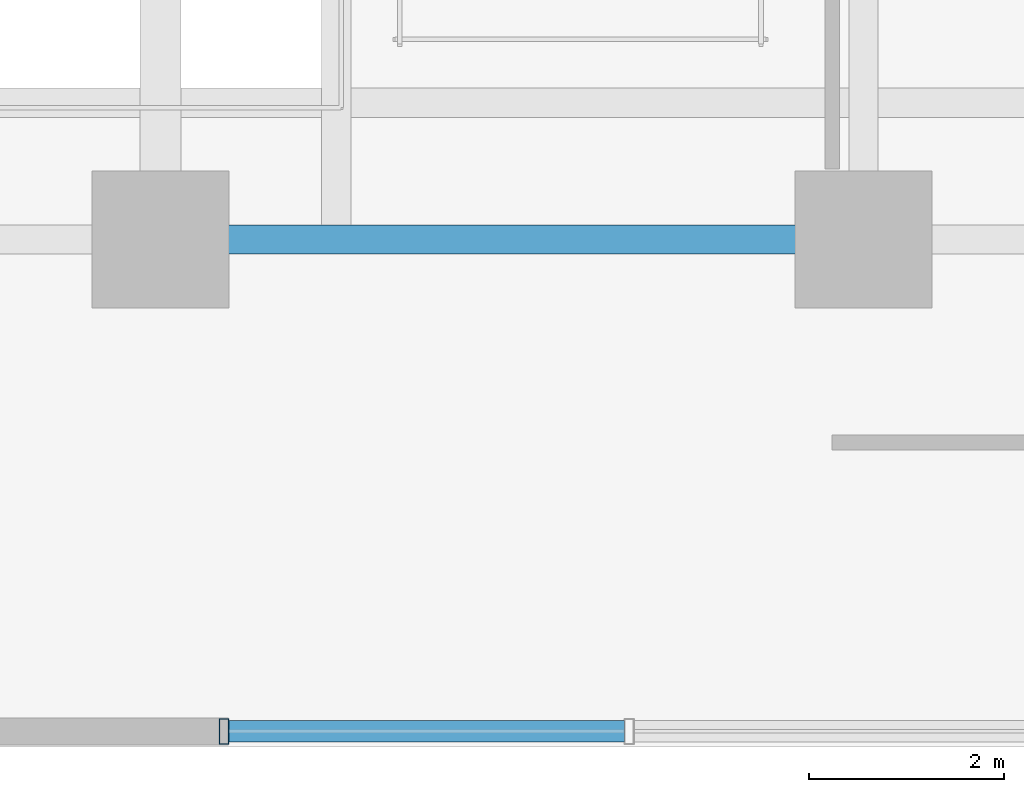
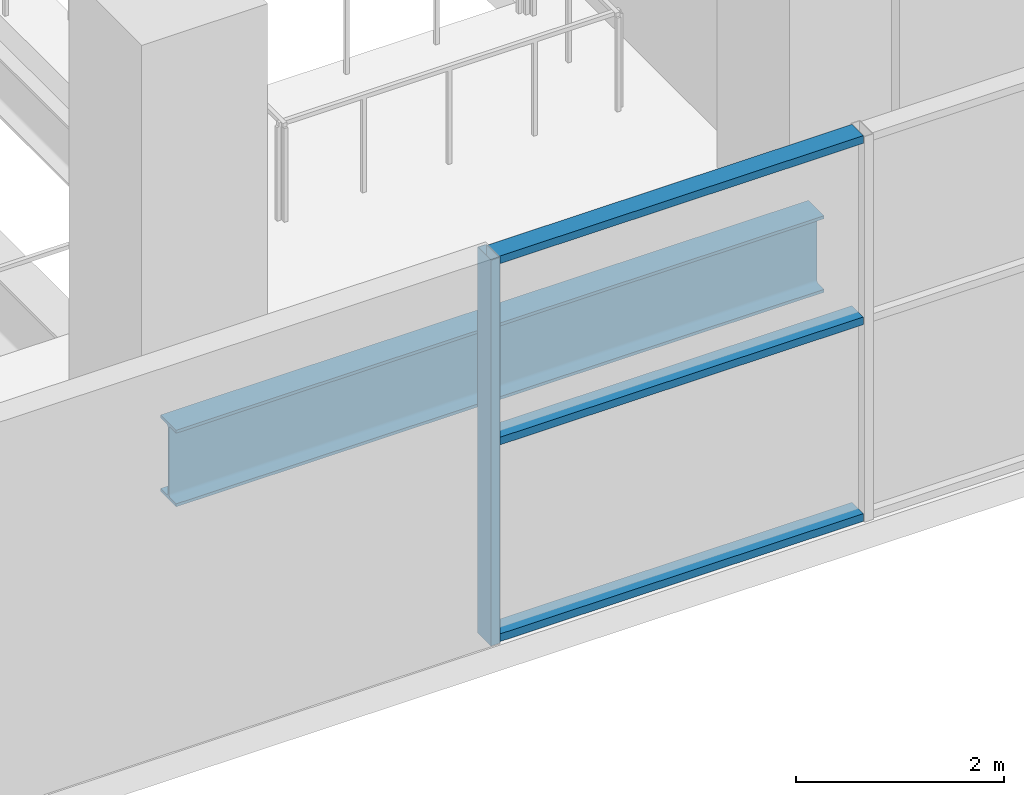
# One storey, part 5 of 22: 4 members, 1 beam, 1 element without a shape of its own.
"""IFC4 building model written with IfcOpenShell, lengths in metres."""

from ifc_helpers import new_model, si_unit, direction, frame, origin, origin_2d, place, context, subcontext, project, spatial, hollow_rectangle, i_section, extrude, source, transform, mapped, material, layer, layer_set, material_profile, profile_set, type_object, element, aggregate, save


model = new_model("IFC4")

# Units and contexts
model_context = context("Model", 3, precision=1e-05, world=origin(), true_north=direction((0.0, 1.0)))
body_context = subcontext(model_context, "Body", "Model", "MODEL_VIEW")
ifc_project = project(units=[si_unit("LENGTHUNIT", "METRE"), si_unit("AREAUNIT", "SQUARE_METRE"), si_unit("VOLUMEUNIT", "CUBIC_METRE"), si_unit("PLANEANGLEUNIT", "RADIAN"), si_unit("MASSUNIT", "GRAM", prefix="KILO")], contexts=[model_context])

# Site, building, storey
site_placement = place(None, origin())
site = spatial("IfcSite", under=ifc_project, at=site_placement, CompositionType="ELEMENT")
building_placement = place(site_placement, origin())
building = spatial("IfcBuilding", under=site, at=building_placement, Name="Zarnakvel Exchange Tower", CompositionType="ELEMENT")
storey_placement = place(building_placement, frame((0.0, 0.0, 22.60009765625)))
storey = spatial("IfcBuildingStorey", under=building, at=storey_placement, Name="L05", CompositionType="ELEMENT", Elevation=22.60009765625)

# Beam
ifc_material_1 = material(Name="Steel S355", Category="steel")
ifc_material_profile_1 = material_profile(ifc_material_1, i_section(OverallWidth=0.300048828125, OverallDepth=0.89990234375, WebThickness=0.0185546875, FlangeThickness=0.034912109375, FilletRadius=0.030029296875, at=origin_2d()))
ifc_profile_set_1 = profile_set([ifc_material_profile_1], Name="Steel S355")
beam_type = type_object("IfcBeamType", Name="G-01", PredefinedType="BEAM", material=ifc_profile_set_1)
beam_placement = place(storey_placement, frame((7.199951171875, -18.199951171875, -0.75), z_axis=(1.0, 0.0, 0.0), x_axis=(0.0, 1.0, 0.0)))
element("IfcBeam", 1, at=beam_placement, inside=storey, type_object=beam_type, Name="L05 Primary E-W Girder Y=-18.2", PredefinedType="BEAM", context=body_context, shape_type="SweptSolid", body=[
    extrude(i_section(OverallWidth=0.300048828125, OverallDepth=0.89990234375, WebThickness=0.0185546875, FlangeThickness=0.034912109375, FilletRadius=0.030029296875, at=origin_2d()), origin(), (0.0, 0.0, 1.0), 7.199951171875),
])

# Curtain wall, members
ifc_material_2 = material(Name="Architectural Bronze Anodised Aluminium", Category="aluminium")
ifc_layer = layer(ifc_material_2, 0.260009765625)
ifc_layer_set = layer_set([ifc_layer], Name="Architectural Bronze Anodised Aluminium")
curtain_wall_type = type_object("IfcCurtainWallType", Name="CW-01", PredefinedType="NOTDEFINED", material=ifc_layer_set)
curtain_wall_placement = place(storey_placement, origin())
curtain_wall = element("IfcCurtainWall", 2, at=curtain_wall_placement, inside=storey, type_object=curtain_wall_type, Name="L05 Curtain Wall CW-L05-S2 (CW-01)", PredefinedType="NOTDEFINED")
ifc_material_profile_2 = material_profile(ifc_material_2, hollow_rectangle(XDim=0.219970703125, YDim=0.090087890625, WallThickness=0.0048828125, at=origin_2d()))
ifc_profile_set_2 = profile_set([ifc_material_profile_2], Name="Architectural Bronze Anodised Aluminium")
member_type_1 = type_object("IfcMemberType", Name="CWT-01", PredefinedType="USERDEFINED", material=ifc_profile_set_2)
shared_shape_1 = source(origin(), body_context, "Body", "SweptSolid", [
    extrude(hollow_rectangle(XDim=0.219970703125, YDim=0.090087890625, WallThickness=0.0048828125, at=origin_2d()), origin(), (0.0, 0.0, 1.0), 4.050048828125),
])
member_1_placement = place(storey_placement, frame((7.89990234375, -23.239990234375, 0.044921875), z_axis=(1.0, 0.0, 0.0), x_axis=(0.0, 1.0, 0.0)))
member_1 = element("IfcMember", 3, at=member_1_placement, type_object=member_type_1, Name="CW-01 transom 1.1", ObjectType="TRANSOM", PredefinedType="USERDEFINED", context=body_context, shape_type="MappedRepresentation", body=[
    mapped(shared_shape_1, transform((0.0, 0.0, 0.0), x_axis=(1.0, 0.0, 0.0), y_axis=(0.0, 1.0, 0.0), z_axis=(0.0, 0.0, 1.0), scale=1.0)),
])
member_2_placement = place(storey_placement, frame((7.89990234375, -23.239990234375, 2.35546875), z_axis=(1.0, 0.0, 0.0), x_axis=(0.0, 1.0, 0.0)))
member_2 = element("IfcMember", 4, at=member_2_placement, type_object=member_type_1, Name="CW-01 transom 1.2", ObjectType="TRANSOM", PredefinedType="USERDEFINED", context=body_context, shape_type="MappedRepresentation", body=[
    mapped(shared_shape_1, transform((0.0, 0.0, 0.0), x_axis=(1.0, 0.0, 0.0), y_axis=(0.0, 1.0, 0.0), z_axis=(0.0, 0.0, 1.0), scale=1.0)),
])
member_3_placement = place(storey_placement, frame((7.89990234375, -23.239990234375, 4.48486328125), z_axis=(1.0, 0.0, 0.0), x_axis=(0.0, 1.0, 0.0)))
member_3 = element("IfcMember", 5, at=member_3_placement, type_object=member_type_1, Name="CW-01 transom 1.3", ObjectType="TRANSOM", PredefinedType="USERDEFINED", context=body_context, shape_type="MappedRepresentation", body=[
    mapped(shared_shape_1, transform((0.0, 0.0, 0.0), x_axis=(1.0, 0.0, 0.0), y_axis=(0.0, 1.0, 0.0), z_axis=(0.0, 0.0, 1.0), scale=1.0)),
])
ifc_material_profile_3 = material_profile(ifc_material_2, hollow_rectangle(XDim=0.260009765625, YDim=0.10009765625, WallThickness=0.006103515625, at=origin_2d()))
ifc_profile_set_3 = profile_set([ifc_material_profile_3], Name="Architectural Bronze Anodised Aluminium")
member_type_2 = type_object("IfcMemberType", Name="CWM-01", PredefinedType="MULLION", material=ifc_profile_set_3)
shared_shape_2 = source(origin(), body_context, "Body", "SweptSolid", [
    extrude(hollow_rectangle(XDim=0.260009765625, YDim=0.10009765625, WallThickness=0.006103515625, at=origin_2d()), origin(), (0.0, 0.0, 1.0), 4.52978515625),
])
member_4_placement = place(storey_placement, frame((7.85009765625, -23.239990234375, 0.0), z_axis=(0.0, 0.0, 1.0), x_axis=(0.0, 1.0, 0.0)))
member_4 = element("IfcMember", 6, at=member_4_placement, type_object=member_type_2, Name="CW-01 mullion 1", PredefinedType="MULLION", context=body_context, shape_type="MappedRepresentation", body=[
    mapped(shared_shape_2, transform((0.0, 0.0, 0.0), x_axis=(1.0, 0.0, 0.0), y_axis=(0.0, 1.0, 0.0), z_axis=(0.0, 0.0, 1.0), scale=1.0)),
])
aggregate(curtain_wall, [member_4, member_1, member_2, member_3])

save(model, "model.ifc")
